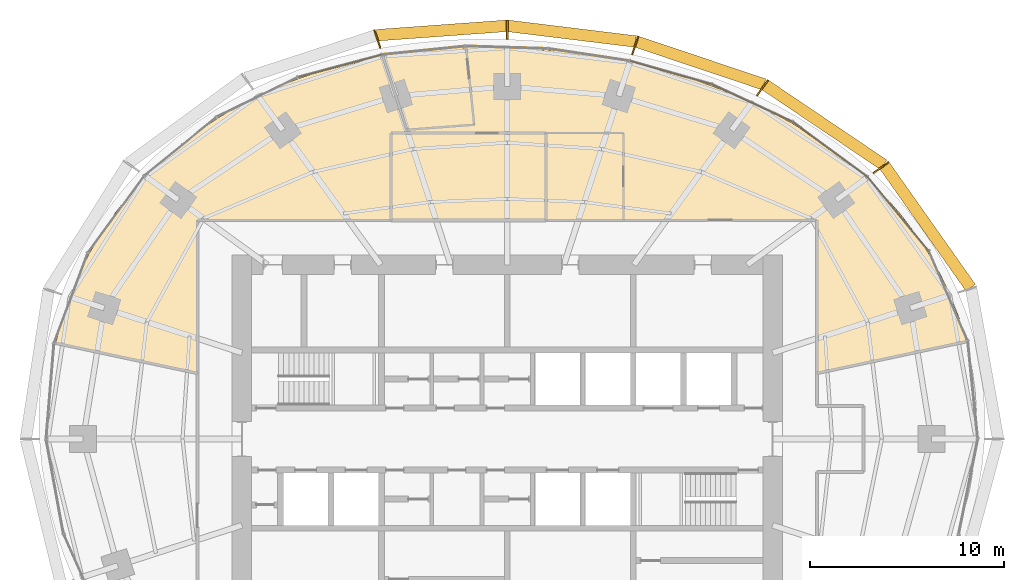
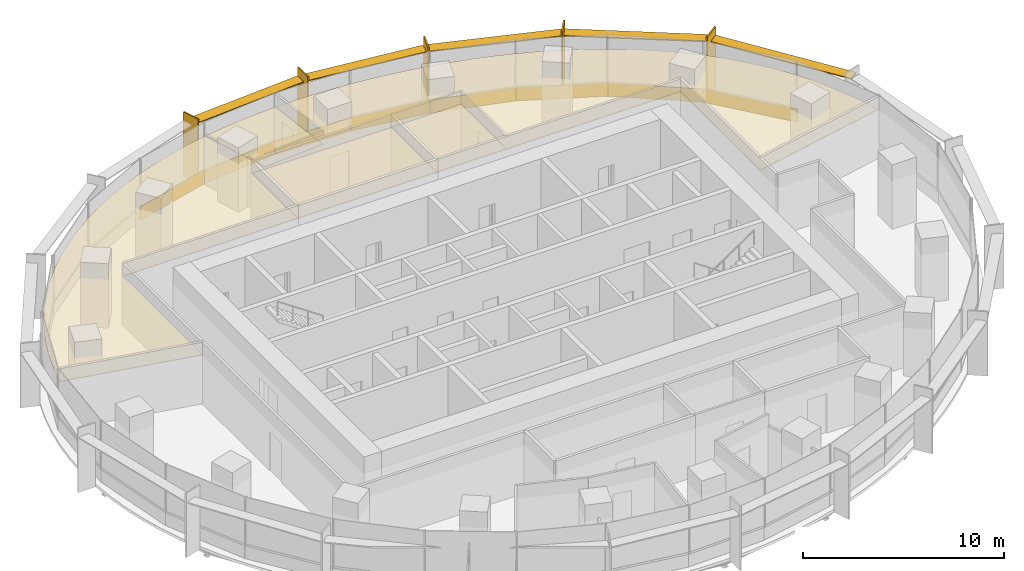
# One storey, part 15 of 15: 12 coverings, 10 shading devices.
"""IFC4 building model written with IfcOpenShell, lengths in metres."""

from ifc_helpers import new_model, si_unit, direction, frame, origin, origin_2d, place, context, subcontext, project, spatial, polyline, rectangle, outline, extrude, material, layer, layer_set, type_object, element, save


model = new_model("IFC4")

# Units and contexts
model_context = context("Model", 3, precision=1e-05, world=origin(), true_north=direction((0.0, 1.0)))
body_context = subcontext(model_context, "Body", "Model", "MODEL_VIEW")
ifc_project = project(units=[si_unit("LENGTHUNIT", "METRE"), si_unit("AREAUNIT", "SQUARE_METRE"), si_unit("VOLUMEUNIT", "CUBIC_METRE"), si_unit("PLANEANGLEUNIT", "RADIAN"), si_unit("MASSUNIT", "GRAM", prefix="KILO")], contexts=[model_context])

# Site, building, storey
site_placement = place(None, origin())
site = spatial("IfcSite", under=ifc_project, at=site_placement, CompositionType="ELEMENT")
building_placement = place(site_placement, origin())
building = spatial("IfcBuilding", under=site, at=building_placement, Name="Marramba Exchange Tower", CompositionType="ELEMENT")
storey_placement = place(building_placement, frame((0.0, 0.0, 230.60009765625)))
storey = spatial("IfcBuildingStorey", under=building, at=storey_placement, Name="L56", CompositionType="ELEMENT", Elevation=230.60009765625)

# Shading devices
ifc_material_1 = material(Name="Aluminium blade, timber-look bronze finish", Category="wood")
ifc_layer_1 = layer(ifc_material_1, 0.080078125)
ifc_layer_set_1 = layer_set([ifc_layer_1], Name="Floor-edge blade 1000x80")
shading_device_type_1 = type_object("IfcShadingDeviceType", Name="Floor-edge blade 1000x80", PredefinedType="USERDEFINED", material=ifc_layer_set_1)
for number, where, z_axis, x_axis, name in (
    (1, (19.298828125, 14.021484375, -0.16015625), (0.0, 0.0, 1.0), (0.809016994375, 0.587785252292, 0.0), "Floor-edge blade FB1 L56 TC03"),
    (2, (13.176513671875, 18.135986328125, -0.16015625), (0.0, 0.0, 1.0), (0.587785252292, 0.809016994375, 0.0), "Floor-edge blade FB1 L56 TC04"),
    (3, (6.605712890625, 20.330078125, -0.16015625), (0.0, 0.0, 1.0), (0.309016994375, 0.951056516295, 0.0), "Floor-edge blade FB1 L56 TC05"),
    (4, (0.0, 21.13623046875, -0.16015625), (0.0, 0.0, 1.0), (0.0, 1.0, 0.0), "Floor-edge blade FB1 L56 TC06"),
    (5, (-6.7119140625, 20.657470703125, -0.16015625), (0.0, 0.0, 1.0), (-0.309016994375, 0.951056516295, 0.0), "Floor-edge blade FB1 L56 TC07"),
):
    element("IfcShadingDevice", number, at=place(storey_placement, frame(where, z_axis=z_axis, x_axis=x_axis)), inside=storey, type_object=shading_device_type_1, Name=name, ObjectType="FIN", PredefinedType="USERDEFINED", context=body_context, shape_type="SweptSolid", body=[
        extrude(rectangle(XDim=1.0, YDim=0.080078125, at=origin_2d()), origin(), (0.0, 0.0, 1.0), 3.89990234375),
    ])
ifc_material_2 = material(Name="Aluminium sunshade, bronze anodised", Category="aluminium")
ifc_layer_2 = layer(ifc_material_2, 0.06005859375)
ifc_layer_set_2 = layer_set([ifc_layer_2], Name="SUNSHADE blade 600x60")
shading_device_type_2 = type_object("IfcShadingDeviceType", Name="SUNSHADE blade 600x60", PredefinedType="USERDEFINED", material=ifc_layer_set_2)
shading_device_1_placement = place(storey_placement, frame((21.703857421875, 10.9599609375, 3.159912109375), z_axis=(0.0, 0.0, 1.0), x_axis=(-0.576555118613, 0.81705825692, 0.0)))
element("IfcShadingDevice", 6, at=shading_device_1_placement, inside=storey, type_object=shading_device_type_2, Name="Sunshade SS1 L56 bay 02", ObjectType="SUNSHADE", PredefinedType="USERDEFINED", context=body_context, shape_type="SweptSolid", body=[
    extrude(rectangle(XDim=7.70166015625, YDim=0.60009765625, at=origin_2d()), origin(), (0.0, 0.0, 1.0), 0.06005859375),
])
shading_device_2_placement = place(storey_placement, frame((16.37744140625, 16.218505859375, 3.159912109375), z_axis=(0.0, 0.0, 1.0), x_axis=(-0.829071447151, 0.559142679035, 0.0)))
element("IfcShadingDevice", 7, at=shading_device_2_placement, inside=storey, type_object=shading_device_type_2, Name="Sunshade SS1 L56 bay 03", ObjectType="SUNSHADE", PredefinedType="USERDEFINED", context=body_context, shape_type="SweptSolid", body=[
    extrude(rectangle(XDim=7.35791015625, YDim=0.60009765625, at=origin_2d()), origin(), (0.0, 0.0, 1.0), 0.06005859375),
])
shading_device_3_placement = place(storey_placement, frame((9.980712890625, 19.4091796875, 3.159912109375), z_axis=(0.0, 0.0, 1.0), x_axis=(-0.948096437223, 0.317982933073, 0.0)))
element("IfcShadingDevice", 8, at=shading_device_3_placement, inside=storey, type_object=shading_device_type_2, Name="Sunshade SS1 L56 bay 04", ObjectType="SUNSHADE", PredefinedType="USERDEFINED", context=body_context, shape_type="SweptSolid", body=[
    extrude(rectangle(XDim=6.909423828125, YDim=0.60009765625, at=origin_2d()), origin(), (0.0, 0.0, 1.0), 0.06005859375),
])
shading_device_4_placement = place(storey_placement, frame((3.333740234375, 20.92822265625, 3.159912109375), z_axis=(0.0, 0.0, 1.0), x_axis=(-0.992595256045, 0.121468751853, 0.0)))
element("IfcShadingDevice", 9, at=shading_device_4_placement, inside=storey, type_object=shading_device_type_2, Name="Sunshade SS1 L56 bay 05", ObjectType="SUNSHADE", PredefinedType="USERDEFINED", context=body_context, shape_type="SweptSolid", body=[
    extrude(rectangle(XDim=6.63720703125, YDim=0.60009765625, at=origin_2d()), origin(), (0.0, 0.0, 1.0), 0.06005859375),
])
shading_device_5_placement = place(storey_placement, frame((-3.386962890625, 21.092041015625, 3.159912109375), z_axis=(0.0, 0.0, 1.0), x_axis=(-0.997407641713, -0.071958295234, 0.0)))
element("IfcShadingDevice", 10, at=shading_device_5_placement, inside=storey, type_object=shading_device_type_2, Name="Sunshade SS1 L56 bay 06", ObjectType="SUNSHADE", PredefinedType="USERDEFINED", context=body_context, shape_type="SweptSolid", body=[
    extrude(rectangle(XDim=6.71142578125, YDim=0.60009765625, at=origin_2d()), origin(), (0.0, 0.0, 1.0), 0.06005859375),
])

# Coverings
ifc_material_3 = material(Name="Aluminium spandrel panel, bronze anodised, insulated", Category="aluminium")
ifc_layer_3 = layer(ifc_material_3, 0.050048828125)
ifc_layer_set_3 = layer_set([ifc_layer_3], Name="Spandrel panel 800")
covering_type_1 = type_object("IfcCoveringType", Name="Spandrel panel 800", PredefinedType="CLADDING", material=ifc_layer_set_3)
covering_1_placement = place(storey_placement, frame((20.193603515625, 11.608642578125, 0.0), z_axis=(0.0, 0.0, 1.0), x_axis=(-0.637350224586, 0.770574260678, 0.0)))
element("IfcCovering", 11, at=covering_1_placement, inside=storey, type_object=covering_type_1, Name="Spandrel panel SP1 L56 F03", PredefinedType="CLADDING", context=body_context, shape_type="SweptSolid", body=[
    extrude(rectangle(XDim=4.9658203125, YDim=0.050048828125, at=origin_2d()), origin(), (0.0, 0.0, 1.0), 0.800048828125),
])
covering_2_placement = place(storey_placement, frame((16.677001953125, 14.94775390625, 0.0), z_axis=(0.0, 0.0, 1.0), x_axis=(-0.804877256733, 0.593441321104, 0.0)))
element("IfcCovering", 12, at=covering_2_placement, inside=storey, type_object=covering_type_1, Name="Spandrel panel SP1 L56 F04", PredefinedType="CLADDING", context=body_context, shape_type="SweptSolid", body=[
    extrude(rectangle(XDim=4.805908203125, YDim=0.050048828125, at=origin_2d()), origin(), (0.0, 0.0, 1.0), 0.800048828125),
])
covering_3_placement = place(storey_placement, frame((12.65869140625, 17.344482421875, 0.0), z_axis=(0.0, 0.0, 1.0), x_axis=(-0.906533903661, 0.422133014005, 0.0)))
element("IfcCovering", 13, at=covering_3_placement, inside=storey, type_object=covering_type_1, Name="Spandrel panel SP1 L56 F05", PredefinedType="CLADDING", context=body_context, shape_type="SweptSolid", body=[
    extrude(rectangle(XDim=4.5986328125, YDim=0.050048828125, at=origin_2d()), origin(), (0.0, 0.0, 1.0), 0.800048828125),
])
covering_4_placement = place(storey_placement, frame((8.45849609375, 18.91845703125, 0.0), z_axis=(0.0, 0.0, 1.0), x_axis=(-0.961658952783, 0.274248169607, 0.0)))
element("IfcCovering", 14, at=covering_4_placement, inside=storey, type_object=covering_type_1, Name="Spandrel panel SP1 L56 F06", PredefinedType="CLADDING", context=body_context, shape_type="SweptSolid", body=[
    extrude(rectangle(XDim=4.39990234375, YDim=0.050048828125, at=origin_2d()), origin(), (0.0, 0.0, 1.0), 0.800048828125),
])
covering_5_placement = place(storey_placement, frame((4.230712890625, 19.839599609375, 0.0), z_axis=(0.0, 0.0, 1.0), x_axis=(-0.988868065308, 0.148794991224, 0.0)))
element("IfcCovering", 15, at=covering_5_placement, inside=storey, type_object=covering_type_1, Name="Spandrel panel SP1 L56 F07", PredefinedType="CLADDING", context=body_context, shape_type="SweptSolid", body=[
    extrude(rectangle(XDim=4.27197265625, YDim=0.050048828125, at=origin_2d()), origin(), (0.0, 0.0, 1.0), 0.800048828125),
])
covering_6_placement = place(storey_placement, frame((-0.0068359375, 20.221923828125, 0.0), z_axis=(0.0, 0.0, 1.0), x_axis=(-0.999537999985, 0.030393857689, 0.0)))
element("IfcCovering", 16, at=covering_6_placement, inside=storey, type_object=covering_type_1, Name="Spandrel panel SP1 L56 F08", PredefinedType="CLADDING", context=body_context, shape_type="SweptSolid", body=[
    extrude(rectangle(XDim=4.252685546875, YDim=0.050048828125, at=origin_2d()), origin(), (0.0, 0.0, 1.0), 0.800048828125),
])
covering_7_placement = place(storey_placement, frame((-4.290771484375, 20.06787109375, 0.0), z_axis=(0.0, 0.0, 1.0), x_axis=(-0.994900357732, -0.10086266993, 0.0)))
element("IfcCovering", 17, at=covering_7_placement, inside=storey, type_object=covering_type_1, Name="Spandrel panel SP1 L56 F09", PredefinedType="CLADDING", context=body_context, shape_type="SweptSolid", body=[
    extrude(rectangle(XDim=4.33935546875, YDim=0.050048828125, at=origin_2d()), origin(), (0.0, 0.0, 1.0), 0.800048828125),
])
covering_8_placement = place(storey_placement, frame((-8.620361328125, 19.27001953125, 0.0), z_axis=(0.0, 0.0, 1.0), x_axis=(-0.966240651433, -0.257641230237, 0.0)))
element("IfcCovering", 18, at=covering_8_placement, inside=storey, type_object=covering_type_1, Name="Spandrel panel SP1 L56 F10", PredefinedType="CLADDING", context=body_context, shape_type="SweptSolid", body=[
    extrude(rectangle(XDim=4.49365234375, YDim=0.050048828125, at=origin_2d()), origin(), (0.0, 0.0, 1.0), 0.800048828125),
])
ifc_material_4 = material(Name="Mineral fibre ceiling tiles", Category="gypsum")
ifc_layer_4 = layer(ifc_material_4, 0.02001953125)
ifc_layer_set_4 = layer_set([ifc_layer_4], Name="Suspended ceiling 20")
covering_type_2 = type_object("IfcCoveringType", Name="Suspended ceiling 20", PredefinedType="CEILING", material=ifc_layer_set_4)
covering_9_placement = place(storey_placement, frame((0.0, 0.0, 2.89990234375)))
element("IfcCovering", 19, at=covering_9_placement, inside=storey, type_object=covering_type_2, Name="Ceiling CL1 L56 Open Plan Office 1", PredefinedType="CEILING", context=body_context, shape_type="SweptSolid", body=[
    extrude(outline(polyline([(6.0, 11.300048828125), (6.0, 15.800048828125), (2.0, 15.800048828125), (-6.0, 15.800048828125), (-6.0, 11.300048828125), (-16.0, 11.300048828125), (-16.0, 3.40087890625), (-23.317138671875, 4.956298828125), (-23.002197265625, 6.163330078125), (-22.604248046875, 7.344482421875), (-22.125244140625, 8.4931640625), (-21.569091796875, 9.603271484375), (-20.939697265625, 10.669189453125), (-20.24169921875, 11.6865234375), (-19.48046875, 12.650634765625), (-18.66162109375, 13.55859375), (-17.79150390625, 14.4072265625), (-16.87548828125, 15.19482421875), (-15.920166015625, 15.920166015625), (-14.931396484375, 16.5830078125), (-13.914794921875, 17.183349609375), (-12.8759765625, 17.722412109375), (-11.820068359375, 18.201171875), (-10.75146484375, 18.621826171875), (-9.67431640625, 18.98681640625), (-8.59228515625, 19.29833984375), (-7.50830078125, 19.559326171875), (-6.424560546875, 19.77294921875), (-5.1884765625, 15.96875), (-1.705810546875, 16.22900390625), (-2.123779296875, 20.20703125), (-1.059814453125, 20.22314453125), (0.0, 20.206298828125), (1.056396484375, 20.15771484375), (2.1103515625, 20.077880859375), (3.16259765625, 19.96728515625), (4.214111328125, 19.82568359375), (5.265869140625, 19.65234375), (6.318359375, 19.445556640625), (7.371826171875, 19.2041015625), (8.426025390625, 18.92529296875), (9.480712890625, 18.60693359375), (10.5341796875, 18.245849609375), (11.584716796875, 17.839111328125), (12.6298828125, 17.383544921875), (13.666259765625, 16.87646484375), (14.689453125, 16.314453125), (15.695068359375, 15.695068359375), (16.67724609375, 15.016357421875), (17.6298828125, 14.276611328125), (18.54638671875, 13.474853515625), (19.41943359375, 12.611083984375), (20.24169921875, 11.6865234375), (21.00537109375, 10.70263671875), (21.702880859375, 9.662841796875), (22.32763671875, 8.57080078125), (22.87255859375, 7.431640625), (23.331787109375, 6.251708984375), (23.700439453125, 5.03759765625), (16.0, 3.40087890625), (16.0, 11.300048828125), (6.0, 11.300048828125)])), origin(), (0.0, 0.0, 1.0), 0.02001953125),
])
covering_10_placement = place(storey_placement, frame((0.0, 0.0, 2.89990234375)))
element("IfcCovering", 20, at=covering_10_placement, inside=storey, type_object=covering_type_2, Name="Ceiling CL1 L56 Office 1", PredefinedType="CEILING", context=body_context, shape_type="SweptSolid", body=[
    extrude(outline(polyline([(-6.114501953125, 19.8212890625), (-5.34326171875, 19.941650390625), (-4.265625, 20.068603515625), (-3.1923828125, 20.15625), (-2.85986328125, 20.172119140625), (-2.123779296875, 20.20703125), (-1.705810546875, 16.22900390625), (-5.1884765625, 15.96875), (-6.424560546875, 19.77294921875), (-6.114501953125, 19.8212890625)])), origin(), (0.0, 0.0, 1.0), 0.02001953125),
])
covering_11_placement = place(storey_placement, frame((0.0, 0.0, 2.89990234375)))
element("IfcCovering", 21, at=covering_11_placement, inside=storey, type_object=covering_type_2, Name="Ceiling CL1 L56 Meeting Room 1", PredefinedType="CEILING", context=body_context, shape_type="SweptSolid", body=[
    extrude(outline(polyline([(2.0, 11.300048828125), (-6.0, 11.300048828125), (-6.0, 15.800048828125), (2.0, 15.800048828125), (2.0, 11.300048828125)])), origin(), (0.0, 0.0, 1.0), 0.02001953125),
])
covering_12_placement = place(storey_placement, frame((0.0, 0.0, 2.89990234375)))
element("IfcCovering", 22, at=covering_12_placement, inside=storey, type_object=covering_type_2, Name="Ceiling CL1 L56 Pantry 1", PredefinedType="CEILING", context=body_context, shape_type="SweptSolid", body=[
    extrude(outline(polyline([(6.0, 11.300048828125), (2.0, 11.300048828125), (2.0, 15.800048828125), (6.0, 15.800048828125), (6.0, 11.300048828125)])), origin(), (0.0, 0.0, 1.0), 0.02001953125),
])

save(model, "model.ifc")
